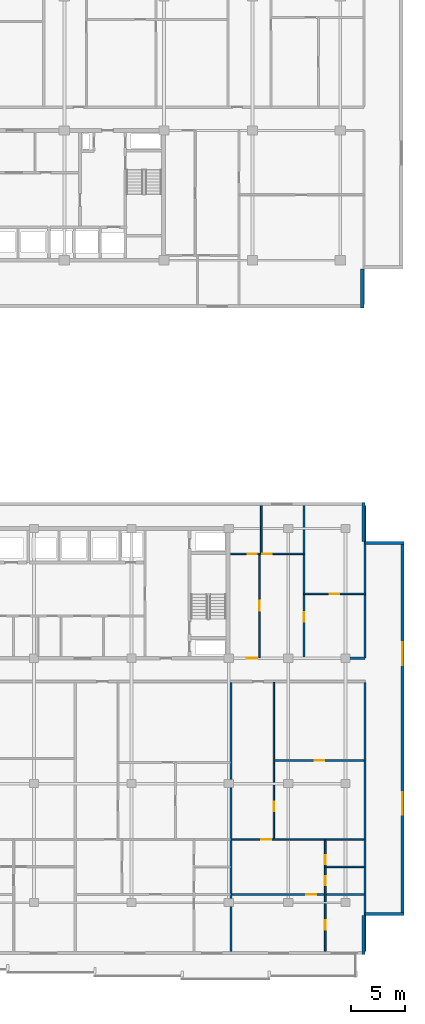
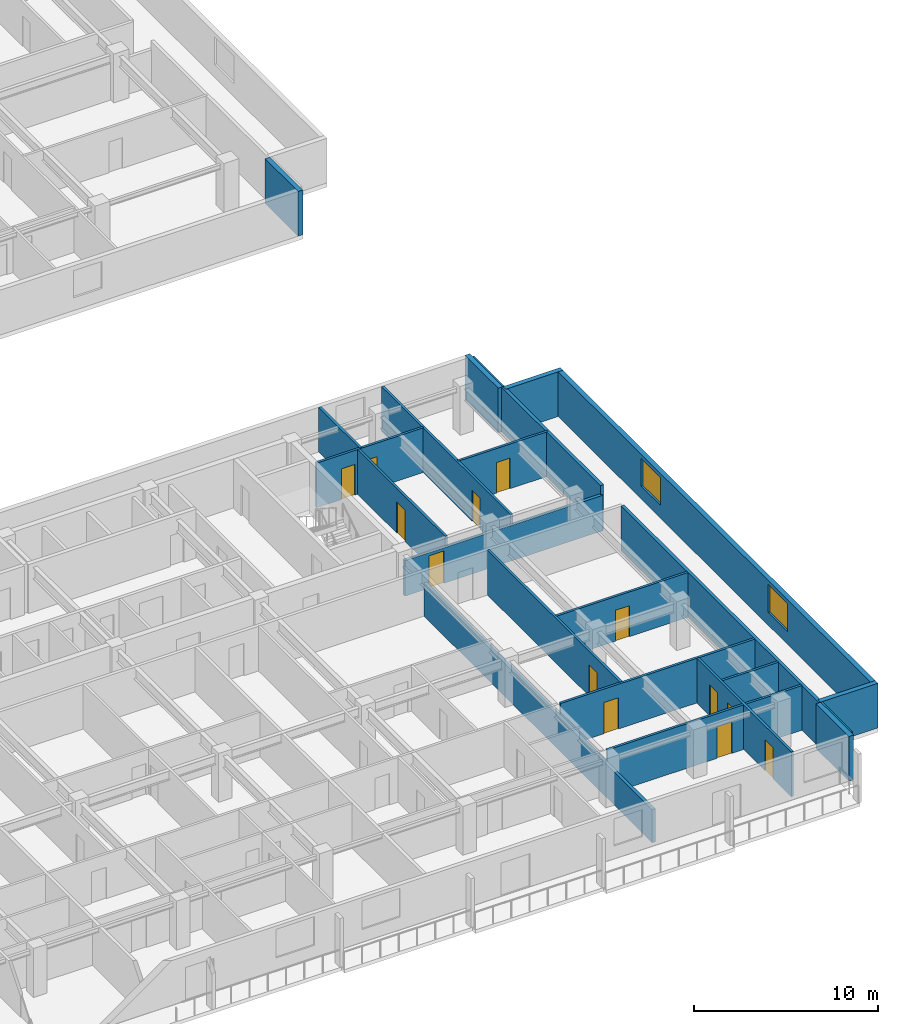
# One storey, part 10 of 22: 21 walls, 13 doors, 2 windows, 15 openings.
"""IFC4 building model written with IfcOpenShell, lengths in metres."""

from ifc_helpers import new_model, si_unit, direction, frame, frame_2d, origin, place, context, subcontext, project, spatial, rectangle, extrude, material, layer, layer_set, type_object, element, fill, save


model = new_model("IFC4")

# Units and contexts
model_context = context("Model", 3, precision=1e-05, world=origin(), true_north=direction((0.0, 1.0)))
body_context = subcontext(model_context, "Body", "Model", "MODEL_VIEW")
ifc_project = project(units=[si_unit("LENGTHUNIT", "METRE"), si_unit("AREAUNIT", "SQUARE_METRE"), si_unit("VOLUMEUNIT", "CUBIC_METRE"), si_unit("PLANEANGLEUNIT", "RADIAN"), si_unit("MASSUNIT", "GRAM", prefix="KILO")], contexts=[model_context])

# Site, building, storey
site_placement = place(None, origin())
site = spatial("IfcSite", under=ifc_project, at=site_placement, CompositionType="ELEMENT")
building_placement = place(site_placement, origin())
building = spatial("IfcBuilding", under=site, at=building_placement, Name="Korimba Cascade Residences", CompositionType="ELEMENT")
storey_placement = place(building_placement, frame((0.0, 0.0, 87.300048828125)))
storey = spatial("IfcBuildingStorey", under=building, at=storey_placement, Name="L24", CompositionType="ELEMENT", Elevation=87.300048828125)

# Walls
ifc_material_1 = material(Name="Precast concrete C40/50", Category="concrete")
ifc_layer_1 = layer(ifc_material_1, 0.300048828125)
ifc_layer_set_1 = layer_set([ifc_layer_1], Name="Precast concrete C40/50")
wall_type_1 = type_object("IfcWallType", Name="EW-STONE-300", PredefinedType="STANDARD", material=ifc_layer_set_1)
wall_1_placement = place(storey_placement, frame((130.449951171875, 50.800048828125, 0.0), z_axis=(0.0, 0.0, 1.0), x_axis=(0.0, 1.0, 0.0)))
element("IfcWall", 1, at=wall_1_placement, inside=storey, type_object=wall_type_1, Name="L24 T1 Perimeter Stone Wall E01", PredefinedType="STANDARD", context=body_context, shape_type="SweptSolid", body=[
    extrude(rectangle(XDim=3.599853515625, YDim=0.300048828125, at=frame_2d((1.7998046875, 0.0))), origin(), (0.0, 0.0, 1.0), 2.969970703125),
])
for number, where, z_axis, x_axis, name in (
    (2, (130.550048828125, -9.0, 0.0), (0.0, 0.0, 1.0), (0.0, 1.0, 0.0), "L24 T2 Perimeter Stone Wall E01"),
    (3, (130.699951171875, -5.25, 0.0), (0.0, 0.0, 1.0), (1.0, 0.0, 0.0), "L24 T2 Perimeter Stone Wall E02"),
):
    element("IfcWall", number, at=place(storey_placement, frame(where, z_axis=z_axis, x_axis=x_axis)), inside=storey, type_object=wall_type_1, Name=name, PredefinedType="STANDARD", context=body_context, shape_type="SweptSolid", body=[
        extrude(rectangle(XDim=3.60009765625, YDim=0.300048828125, at=frame_2d((1.800048828125, 0.0))), origin(), (0.0, 0.0, 1.0), 2.969970703125),
    ])

# Wall, openings, windows
wall_2_placement = place(storey_placement, frame((134.14990234375, -5.39990234375, 0.0), z_axis=(0.0, 0.0, 1.0), x_axis=(0.0, 1.0, 0.0)))
wall_2 = element("IfcWall", 4, at=wall_2_placement, inside=storey, type_object=wall_type_1, Name="L24 T2 Perimeter Stone Wall E03", PredefinedType="STANDARD", context=body_context, shape_type="SweptSolid", body=[
    extrude(rectangle(XDim=34.599853515625, YDim=0.300048828125, at=frame_2d((17.2998046875, 0.0))), origin(), (0.0, 0.0, 1.0), 2.969970703125),
])
opening_1_placement = place(wall_2_placement, frame((9.330078125, 0.0, 0.85009765625)))
opening_1 = element("IfcOpeningElement", 5, at=opening_1_placement, cuts=wall_2, Name="Opening W-03", PredefinedType="OPENING", context=body_context, shape_type="SweptSolid", body=[
    extrude(rectangle(XDim=2.10009765625, YDim=1.85009765625, at=frame_2d((1.050048828125, 0.925048828125))), frame((0.0, 0.16015625, 0.0), z_axis=(0.0, -1.0, 0.0), x_axis=(1.0, 0.0, 0.0)), (0.0, 0.0, 1.0), 0.320068359375),
])
opening_2_placement = place(wall_2_placement, frame((23.169921875, 0.0, 0.85009765625)))
opening_2 = element("IfcOpeningElement", 6, at=opening_2_placement, cuts=wall_2, Name="Opening W-03", PredefinedType="OPENING", context=body_context, shape_type="SweptSolid", body=[
    extrude(rectangle(XDim=2.10009765625, YDim=1.85009765625, at=frame_2d((1.050048828125, 0.925048828125))), frame((0.0, 0.16015625, 0.0), z_axis=(0.0, -1.0, 0.0), x_axis=(1.0, 0.0, 0.0)), (0.0, 0.0, 1.0), 0.320068359375),
])
ifc_material_2 = material(Name="Double-Glazed Aluminium Window", Category="aluminium")
window_type = type_object("IfcWindowType", Name="WIN-CRN-2100", PartitioningType="DOUBLE_PANEL_HORIZONTAL", PredefinedType="WINDOW", material=ifc_material_2)
window_1_placement = place(opening_1_placement, origin())
window_1 = element("IfcWindow", 7, at=window_1_placement, inside=storey, type_object=window_type, Name="L24 T2 End View Window 3.1", OverallHeight=1.85009765625, OverallWidth=2.10009765625, PartitioningType="DOUBLE_PANEL_HORIZONTAL", PredefinedType="WINDOW", context=body_context, shape_type="SweptSolid", body=[
    extrude(rectangle(XDim=2.10009765625, YDim=1.85009765625, at=frame_2d((1.050048828125, 0.925048828125))), frame((0.0, 0.030029296875, 0.0), z_axis=(0.0, -1.0, 0.0), x_axis=(1.0, 0.0, 0.0)), (0.0, 0.0, 1.0), 0.06005859375),
])
fill(opening_1, window_1)
window_2_placement = place(opening_2_placement, origin())
window_2 = element("IfcWindow", 8, at=window_2_placement, inside=storey, type_object=window_type, Name="L24 T2 End View Window 3.2", OverallHeight=1.85009765625, OverallWidth=2.10009765625, PartitioningType="DOUBLE_PANEL_HORIZONTAL", PredefinedType="WINDOW", context=body_context, shape_type="SweptSolid", body=[
    extrude(rectangle(XDim=2.10009765625, YDim=1.85009765625, at=frame_2d((1.050048828125, 0.925048828125))), frame((0.0, 0.030029296875, 0.0), z_axis=(0.0, -1.0, 0.0), x_axis=(1.0, 0.0, 0.0)), (0.0, 0.0, 1.0), 0.06005859375),
])
fill(opening_2, window_2)

# Walls
for number, where, z_axis, x_axis, name in (
    (9, (134.300048828125, 29.050048828125, 0.0), (0.0, 0.0, 1.0), (-1.0, 0.0, 0.0), "L24 T2 Perimeter Stone Wall E04"),
    (10, (130.550048828125, 29.199951171875, 0.0), (0.0, 0.0, 1.0), (0.0, 1.0, 0.0), "L24 T2 Perimeter Stone Wall E05"),
):
    element("IfcWall", number, at=place(storey_placement, frame(where, z_axis=z_axis, x_axis=x_axis)), inside=storey, type_object=wall_type_1, Name=name, PredefinedType="STANDARD", context=body_context, shape_type="SweptSolid", body=[
        extrude(rectangle(XDim=3.60009765625, YDim=0.300048828125, at=frame_2d((1.800048828125, 0.0))), origin(), (0.0, 0.0, 1.0), 2.969970703125),
    ])
ifc_layer_2 = layer(ifc_material_1, 0.199951171875)
ifc_layer_set_2 = layer_set([ifc_layer_2], Name="Precast concrete C40/50")
wall_type_2 = type_object("IfcWallType", Name="WAL-IT-200", PredefinedType="PARTITIONING", material=ifc_layer_set_2)
wall_3_placement = place(storey_placement, frame((130.699951171875, 18.39990234375, 0.0), z_axis=(0.0, 0.0, 1.0), x_axis=(0.0, 1.0, 0.0)))
element("IfcWall", 11, at=wall_3_placement, inside=storey, type_object=wall_type_2, Name="L24 Partition Wall WAL-L24-T2-FE-WR", PredefinedType="PARTITIONING", context=body_context, shape_type="SweptSolid", body=[
    extrude(rectangle(XDim=14.10009765625, YDim=0.199951171875, at=frame_2d((7.050048828125, 0.0))), origin(), (0.0, 0.0, 1.0), 2.969970703125),
])

# Wall, opening, door
wall_4_placement = place(storey_placement, frame((118.25, 18.39990234375, 0.0), z_axis=(0.0, 0.0, 1.0), x_axis=(1.0, 0.0, 0.0)))
wall_4 = element("IfcWall", 12, at=wall_4_placement, inside=storey, type_object=wall_type_2, Name="L24 Partition Wall WAL-L24-T2-FE-S", PredefinedType="PARTITIONING", context=body_context, shape_type="SweptSolid", body=[
    extrude(rectangle(XDim=12.449951171875, YDim=0.199951171875, at=frame_2d((6.22509765625, 0.0))), origin(), (0.0, 0.0, 1.0), 2.357666015625),
])
opening_3_placement = place(wall_4_placement, frame((1.510009765625, 0.0, 0.0)))
opening_3 = element("IfcOpeningElement", 13, at=opening_3_placement, cuts=wall_4, Name="Opening D-UN1", PredefinedType="OPENING", context=body_context, shape_type="SweptSolid", body=[
    extrude(rectangle(XDim=0.949951171875, YDim=2.14990234375, at=frame_2d((0.47509765625, 1.074951171875))), frame((0.0, 0.10986328125, 0.0), z_axis=(0.0, -1.0, 0.0), x_axis=(1.0, 0.0, 0.0)), (0.0, 0.0, 1.0), 0.219970703125),
])
ifc_material_3 = material(Name="Fire-Rated Hardwood Apartment Entrance Door", Category="wood")
door_type_1 = type_object("IfcDoorType", Name="DR-FD60-950", OperationType="NOTDEFINED", PredefinedType="DOOR", material=ifc_material_3)
door_1_placement = place(opening_3_placement, origin())
door_1 = element("IfcDoor", 14, at=door_1_placement, inside=storey, type_object=door_type_1, Name="L24-T2-FE Entrance Door", OperationType="SINGLE_SWING_RIGHT", OverallHeight=2.14990234375, OverallWidth=0.949951171875, PredefinedType="DOOR", context=body_context, shape_type="SweptSolid", body=[
    extrude(rectangle(XDim=0.949951171875, YDim=2.14990234375, at=frame_2d((0.47509765625, 1.074951171875))), frame((0.0, 0.02490234375, 0.0), z_axis=(0.0, -1.0, 0.0), x_axis=(1.0, 0.0, 0.0)), (0.0, 0.0, 1.0), 0.050048828125),
])
fill(opening_3, door_1)

# Walls
wall_5_placement = place(storey_placement, frame((130.699951171875, -8.699951171875, 0.0), z_axis=(0.0, 0.0, 1.0), x_axis=(0.0, 1.0, 0.0)))
element("IfcWall", 15, at=wall_5_placement, inside=storey, type_object=wall_type_2, Name="L24 Partition Wall WAL-L24-T2-BNDWR", PredefinedType="PARTITIONING", context=body_context, shape_type="SweptSolid", body=[
    extrude(rectangle(XDim=24.869873046875, YDim=0.199951171875, at=frame_2d((12.43505859375, 0.0))), origin(), (0.0, 0.0, 1.0), 2.969970703125),
])
wall_6_placement = place(storey_placement, frame((118.300048828125, -8.699951171875, 0.0), z_axis=(0.0, 0.0, 1.0), x_axis=(0.0, 1.0, 0.0)))
element("IfcWall", 16, at=wall_6_placement, inside=storey, type_object=wall_type_2, Name="L24 Partition Wall WAL-L24-T2-DEM-3", PredefinedType="PARTITIONING", context=body_context, shape_type="SweptSolid", body=[
    extrude(rectangle(XDim=24.869873046875, YDim=0.199951171875, at=frame_2d((12.43505859375, 0.0))), origin(), (0.0, 0.0, 1.0), 2.2001953125),
])

# Wall, opening, door
ifc_material_4 = material(Name="Insulated Acoustic Stud Partition", Category="gypsum")
ifc_layer_3 = layer(ifc_material_4, 0.14990234375)
ifc_layer_set_3 = layer_set([ifc_layer_3], Name="Insulated Acoustic Stud Partition")
wall_type_3 = type_object("IfcWallType", Name="WAL-PART-150", PredefinedType="PARTITIONING", material=ifc_layer_set_3)
wall_7_placement = place(storey_placement, frame((125.050048828125, 24.35009765625, 0.0), z_axis=(0.0, 0.0, 1.0), x_axis=(1.0, 0.0, 0.0)))
wall_7 = element("IfcWall", 17, at=wall_7_placement, inside=storey, type_object=wall_type_3, Name="L24 Partition Wall WAL-L24-T2-FE-STH", PredefinedType="PARTITIONING", context=body_context, shape_type="SweptSolid", body=[
    extrude(rectangle(XDim=5.64990234375, YDim=0.14990234375, at=frame_2d((2.824951171875, 0.0))), origin(), (0.0, 0.0, 1.0), 2.969970703125),
])
opening_4_placement = place(wall_7_placement, frame((2.405029296875, 0.0, 0.0)))
opening_4 = element("IfcOpeningElement", 18, at=opening_4_placement, cuts=wall_7, Name="Opening D-BT1", PredefinedType="OPENING", context=body_context, shape_type="SweptSolid", body=[
    extrude(rectangle(XDim=0.840087890625, YDim=2.0400390625, at=frame_2d((0.419921875, 1.02001953125))), frame((0.0, 0.0849609375, 0.0), z_axis=(0.0, -1.0, 0.0), x_axis=(1.0, 0.0, 0.0)), (0.0, 0.0, 1.0), 0.169921875),
])
ifc_material_5 = material(Name="Moisture-Resistant Bathroom Timber Door", Category="wood")
door_type_2 = type_object("IfcDoorType", Name="DR-INT-850", OperationType="NOTDEFINED", PredefinedType="DOOR", material=ifc_material_5)
door_2_placement = place(opening_4_placement, origin())
door_2 = element("IfcDoor", 19, at=door_2_placement, inside=storey, type_object=door_type_2, Name="L24-T2-FE Dressing Store Door", OperationType="SINGLE_SWING_LEFT", OverallHeight=2.0400390625, OverallWidth=0.840087890625, PredefinedType="DOOR", context=body_context, shape_type="SweptSolid", body=[
    extrude(rectangle(XDim=0.840087890625, YDim=2.0400390625, at=frame_2d((0.419921875, 1.02001953125))), frame((0.0, 0.02490234375, 0.0), z_axis=(0.0, -1.0, 0.0), x_axis=(1.0, 0.0, 0.0)), (0.0, 0.0, 1.0), 0.050048828125),
])
fill(opening_4, door_2)

wall_8_placement = place(storey_placement, frame((125.050048828125, 18.449951171875, 0.0), z_axis=(0.0, 0.0, 1.0), x_axis=(0.0, 1.0, 0.0)))
wall_8 = element("IfcWall", 20, at=wall_8_placement, inside=storey, type_object=wall_type_3, Name="L24 Partition Wall WAL-L24-T2-FE-STV", PredefinedType="PARTITIONING", context=body_context, shape_type="SweptSolid", body=[
    extrude(rectangle(XDim=14.050048828125, YDim=0.14990234375, at=frame_2d((7.02490234375, 0.0))), origin(), (0.0, 0.0, 1.0), 2.969970703125),
])
opening_5_placement = place(wall_8_placement, frame((3.320068359375, 0.0, 0.0)))
opening_5 = element("IfcOpeningElement", 21, at=opening_5_placement, cuts=wall_8, Name="Opening D-IN2", PredefinedType="OPENING", context=body_context, shape_type="SweptSolid", body=[
    extrude(rectangle(XDim=0.8798828125, YDim=2.06005859375, at=frame_2d((0.43994140625, 1.030029296875))), frame((0.0, 0.0849609375, 0.0), z_axis=(0.0, -1.0, 0.0), x_axis=(1.0, 0.0, 0.0)), (0.0, 0.0, 1.0), 0.169921875),
])
ifc_material_6 = material(Name="Acoustic Timber Bedroom Door", Category="wood")
door_type_3 = type_object("IfcDoorType", Name="DR-INT-880", OperationType="NOTDEFINED", PredefinedType="DOOR", material=ifc_material_6)
door_3_placement = place(opening_5_placement, origin())
door_3 = element("IfcDoor", 22, at=door_3_placement, inside=storey, type_object=door_type_3, Name="L24-T2-FE Study Door", OperationType="SINGLE_SWING_RIGHT", OverallHeight=2.06005859375, OverallWidth=0.8798828125, PredefinedType="DOOR", context=body_context, shape_type="SweptSolid", body=[
    extrude(rectangle(XDim=0.8798828125, YDim=2.06005859375, at=frame_2d((0.43994140625, 1.030029296875))), frame((0.0, 0.02490234375, 0.0), z_axis=(0.0, -1.0, 0.0), x_axis=(1.0, 0.0, 0.0)), (0.0, 0.0, 1.0), 0.050048828125),
])
fill(opening_5, door_3)

wall_9_placement = place(storey_placement, frame((120.929931640625, 18.449951171875, 0.0), z_axis=(0.0, 0.0, 1.0), x_axis=(0.0, 1.0, 0.0)))
wall_9 = element("IfcWall", 23, at=wall_9_placement, inside=storey, type_object=wall_type_3, Name="L24 Partition Wall WAL-L24-T2-FE-VS", PredefinedType="PARTITIONING", context=body_context, shape_type="SweptSolid", body=[
    extrude(rectangle(XDim=9.60009765625, YDim=0.14990234375, at=frame_2d((4.800048828125, 0.0))), origin(), (0.0, 0.0, 1.0), 2.969970703125),
])
opening_6_placement = place(wall_9_placement, frame((4.340087890625, 0.0, 0.0)))
opening_6 = element("IfcOpeningElement", 24, at=opening_6_placement, cuts=wall_9, Name="Opening D-IN1", PredefinedType="OPENING", context=body_context, shape_type="SweptSolid", body=[
    extrude(rectangle(XDim=0.919921875, YDim=2.080078125, at=frame_2d((0.4599609375, 1.0400390625))), frame((0.0, 0.0849609375, 0.0), z_axis=(0.0, -1.0, 0.0), x_axis=(1.0, 0.0, 0.0)), (0.0, 0.0, 1.0), 0.169921875),
])
ifc_material_7 = material(Name="Acoustic Timber Living Door", Category="wood")
door_type_4 = type_object("IfcDoorType", Name="DR-INT-920", OperationType="NOTDEFINED", PredefinedType="DOOR", material=ifc_material_7)
door_4_placement = place(opening_6_placement, origin())
door_4 = element("IfcDoor", 25, at=door_4_placement, inside=storey, type_object=door_type_4, Name="L24-T2-FE Living Door", OperationType="SINGLE_SWING_LEFT", OverallHeight=2.080078125, OverallWidth=0.919921875, PredefinedType="DOOR", context=body_context, shape_type="SweptSolid", body=[
    extrude(rectangle(XDim=0.919921875, YDim=2.080078125, at=frame_2d((0.4599609375, 1.0400390625))), frame((0.0, 0.02490234375, 0.0), z_axis=(0.0, -1.0, 0.0), x_axis=(1.0, 0.0, 0.0)), (0.0, 0.0, 1.0), 0.050048828125),
])
fill(opening_6, door_4)

# Wall
wall_10_placement = place(storey_placement, frame((121.10009765625, 28.050048828125, 0.0), z_axis=(0.0, 0.0, 1.0), x_axis=(0.0, 1.0, 0.0)))
element("IfcWall", 26, at=wall_10_placement, inside=storey, type_object=wall_type_3, Name="L24 Partition Wall WAL-L24-T2-FE-VN", PredefinedType="PARTITIONING", context=body_context, shape_type="SweptSolid", body=[
    extrude(rectangle(XDim=4.449951171875, YDim=0.14990234375, at=frame_2d((2.22509765625, 0.0))), origin(), (0.0, 0.0, 1.0), 2.969970703125),
])

# Wall, openings, doors
wall_11_placement = place(storey_placement, frame((118.27001953125, 28.050048828125, 0.0), z_axis=(0.0, 0.0, 1.0), x_axis=(1.0, 0.0, 0.0)))
wall_11 = element("IfcWall", 27, at=wall_11_placement, inside=storey, type_object=wall_type_3, Name="L24 Partition Wall WAL-L24-T2-FE-H", PredefinedType="PARTITIONING", context=body_context, shape_type="SweptSolid", body=[
    extrude(rectangle(XDim=6.760009765625, YDim=0.14990234375, at=frame_2d((3.3798828125, 0.0))), origin(), (0.0, 0.0, 1.0), 2.969970703125),
])
opening_7_placement = place(wall_11_placement, frame((1.58740234375, 0.0, 0.0)))
opening_7 = element("IfcOpeningElement", 28, at=opening_7_placement, cuts=wall_11, Name="Opening D-BT1", PredefinedType="OPENING", context=body_context, shape_type="SweptSolid", body=[
    extrude(rectangle(XDim=0.840087890625, YDim=2.0400390625, at=frame_2d((0.419921875, 1.02001953125))), frame((0.0, 0.0849609375, 0.0), z_axis=(0.0, -1.0, 0.0), x_axis=(1.0, 0.0, 0.0)), (0.0, 0.0, 1.0), 0.169921875),
])
opening_8_placement = place(wall_11_placement, frame((2.93994140625, 0.0, 0.0)))
opening_8 = element("IfcOpeningElement", 29, at=opening_8_placement, cuts=wall_11, Name="Opening D-IN2", PredefinedType="OPENING", context=body_context, shape_type="SweptSolid", body=[
    extrude(rectangle(XDim=0.8798828125, YDim=2.06005859375, at=frame_2d((0.43994140625, 1.030029296875))), frame((0.0, 0.0849609375, 0.0), z_axis=(0.0, -1.0, 0.0), x_axis=(1.0, 0.0, 0.0)), (0.0, 0.0, 1.0), 0.169921875),
])
door_5_placement = place(opening_7_placement, origin())
door_5 = element("IfcDoor", 30, at=door_5_placement, inside=storey, type_object=door_type_2, Name="L24-T2-FE Bathroom Door", OperationType="SINGLE_SWING_RIGHT", OverallHeight=2.0400390625, OverallWidth=0.840087890625, PredefinedType="DOOR", context=body_context, shape_type="SweptSolid", body=[
    extrude(rectangle(XDim=0.840087890625, YDim=2.0400390625, at=frame_2d((0.419921875, 1.02001953125))), frame((0.0, 0.02490234375, 0.0), z_axis=(0.0, -1.0, 0.0), x_axis=(1.0, 0.0, 0.0)), (0.0, 0.0, 1.0), 0.050048828125),
])
fill(opening_7, door_5)
door_6_placement = place(opening_8_placement, origin())
door_6 = element("IfcDoor", 31, at=door_6_placement, inside=storey, type_object=door_type_3, Name="L24-T2-FE Bedroom Door", OperationType="SINGLE_SWING_LEFT", OverallHeight=2.06005859375, OverallWidth=0.8798828125, PredefinedType="DOOR", context=body_context, shape_type="SweptSolid", body=[
    extrude(rectangle(XDim=0.8798828125, YDim=2.06005859375, at=frame_2d((0.43994140625, 1.030029296875))), frame((0.0, 0.02490234375, 0.0), z_axis=(0.0, -1.0, 0.0), x_axis=(1.0, 0.0, 0.0)), (0.0, 0.0, 1.0), 0.050048828125),
])
fill(opening_8, door_6)

# Wall, opening, door
wall_12_placement = place(storey_placement, frame((122.330078125, 8.93994140625, 0.0), z_axis=(0.0, 0.0, 1.0), x_axis=(1.0, 0.0, 0.0)))
wall_12 = element("IfcWall", 32, at=wall_12_placement, inside=storey, type_object=wall_type_3, Name="L24 Partition Wall WAL-L24-T2-U04-FMH", PredefinedType="PARTITIONING", context=body_context, shape_type="SweptSolid", body=[
    extrude(rectangle(XDim=8.2900390625, YDim=0.14990234375, at=frame_2d((4.14501953125, 0.0))), origin(), (0.0, 0.0, 1.0), 2.969970703125),
])
opening_9_placement = place(wall_12_placement, frame((3.705078125, 0.0, 0.0)))
opening_9 = element("IfcOpeningElement", 33, at=opening_9_placement, cuts=wall_12, Name="Opening D-IN2", PredefinedType="OPENING", context=body_context, shape_type="SweptSolid", body=[
    extrude(rectangle(XDim=0.8798828125, YDim=2.06005859375, at=frame_2d((0.43994140625, 1.030029296875))), frame((0.0, 0.0849609375, 0.0), z_axis=(0.0, -1.0, 0.0), x_axis=(1.0, 0.0, 0.0)), (0.0, 0.0, 1.0), 0.169921875),
])
door_7_placement = place(opening_9_placement, origin())
door_7 = element("IfcDoor", 34, at=door_7_placement, inside=storey, type_object=door_type_3, Name="L24-T2-U04 Library Salon Door", OperationType="SINGLE_SWING_LEFT", OverallHeight=2.06005859375, OverallWidth=0.8798828125, PredefinedType="DOOR", context=body_context, shape_type="SweptSolid", body=[
    extrude(rectangle(XDim=0.8798828125, YDim=2.06005859375, at=frame_2d((0.43994140625, 1.030029296875))), frame((0.0, 0.02490234375, 0.0), z_axis=(0.0, -1.0, 0.0), x_axis=(1.0, 0.0, 0.0)), (0.0, 0.0, 1.0), 0.050048828125),
])
fill(opening_9, door_7)

wall_13_placement = place(storey_placement, frame((122.27001953125, 1.68994140625, 0.0), z_axis=(0.0, 0.0, 1.0), x_axis=(0.0, 1.0, 0.0)))
wall_13 = element("IfcWall", 35, at=wall_13_placement, inside=storey, type_object=wall_type_3, Name="L24 Partition Wall WAL-L24-T2-U04-FV", PredefinedType="PARTITIONING", context=body_context, shape_type="SweptSolid", body=[
    extrude(rectangle(XDim=14.5, YDim=0.14990234375, at=frame_2d((7.25, 0.0))), origin(), (0.0, 0.0, 1.0), 2.969970703125),
])
opening_10_placement = place(wall_13_placement, frame((2.54248046875, 0.0, 0.0)))
opening_10 = element("IfcOpeningElement", 36, at=opening_10_placement, cuts=wall_13, Name="Opening D-IN2", PredefinedType="OPENING", context=body_context, shape_type="SweptSolid", body=[
    extrude(rectangle(XDim=0.8798828125, YDim=2.06005859375, at=frame_2d((0.43994140625, 1.030029296875))), frame((0.0, 0.0849609375, 0.0), z_axis=(0.0, -1.0, 0.0), x_axis=(1.0, 0.0, 0.0)), (0.0, 0.0, 1.0), 0.169921875),
])
door_8_placement = place(opening_10_placement, origin())
door_8 = element("IfcDoor", 37, at=door_8_placement, inside=storey, type_object=door_type_3, Name="L24-T2-U04 Media Lounge Door", OperationType="SINGLE_SWING_RIGHT", OverallHeight=2.06005859375, OverallWidth=0.8798828125, PredefinedType="DOOR", context=body_context, shape_type="SweptSolid", body=[
    extrude(rectangle(XDim=0.8798828125, YDim=2.06005859375, at=frame_2d((0.43994140625, 1.030029296875))), frame((0.0, 0.02490234375, 0.0), z_axis=(0.0, -1.0, 0.0), x_axis=(1.0, 0.0, 0.0)), (0.0, 0.0, 1.0), 0.050048828125),
])
fill(opening_10, door_8)

# Wall
wall_14_placement = place(storey_placement, frame((127.080078125, -0.889892578125, 0.0), z_axis=(0.0, 0.0, 1.0), x_axis=(1.0, 0.0, 0.0)))
element("IfcWall", 38, at=wall_14_placement, inside=storey, type_object=wall_type_3, Name="L24 Partition Wall WAL-L24-T2-U04-BLDIV", PredefinedType="PARTITIONING", context=body_context, shape_type="SweptSolid", body=[
    extrude(rectangle(XDim=3.5400390625, YDim=0.14990234375, at=frame_2d((1.77001953125, 0.0))), origin(), (0.0, 0.0, 1.0), 2.969970703125),
])

# Wall, openings, doors
wall_15_placement = place(storey_placement, frame((127.02001953125, -8.699951171875, 0.0), z_axis=(0.0, 0.0, 1.0), x_axis=(0.0, 1.0, 0.0)))
wall_15 = element("IfcWall", 39, at=wall_15_placement, inside=storey, type_object=wall_type_3, Name="L24 Partition Wall WAL-L24-T2-U04-V1", PredefinedType="PARTITIONING", context=body_context, shape_type="SweptSolid", body=[
    extrude(rectangle(XDim=10.31005859375, YDim=0.14990234375, at=frame_2d((5.155029296875, 0.0))), origin(), (0.0, 0.0, 1.0), 2.969970703125),
])
opening_11_placement = place(wall_15_placement, frame((6.120361328125, 0.0, 0.0)))
opening_11 = element("IfcOpeningElement", 40, at=opening_11_placement, cuts=wall_15, Name="Opening D-BT1", PredefinedType="OPENING", context=body_context, shape_type="SweptSolid", body=[
    extrude(rectangle(XDim=0.840087890625, YDim=2.0400390625, at=frame_2d((0.419921875, 1.02001953125))), frame((0.0, 0.0849609375, 0.0), z_axis=(0.0, -1.0, 0.0), x_axis=(1.0, 0.0, 0.0)), (0.0, 0.0, 1.0), 0.169921875),
])
opening_12_placement = place(wall_15_placement, frame((8.03955078125, 0.0, 0.0)))
opening_12 = element("IfcOpeningElement", 41, at=opening_12_placement, cuts=wall_15, Name="Opening D-BT1", PredefinedType="OPENING", context=body_context, shape_type="SweptSolid", body=[
    extrude(rectangle(XDim=0.840087890625, YDim=2.0400390625, at=frame_2d((0.419921875, 1.02001953125))), frame((0.0, 0.0849609375, 0.0), z_axis=(0.0, -1.0, 0.0), x_axis=(1.0, 0.0, 0.0)), (0.0, 0.0, 1.0), 0.169921875),
])
opening_13_placement = place(wall_15_placement, frame((2.001220703125, 0.0, 0.0)))
opening_13 = element("IfcOpeningElement", 42, at=opening_13_placement, cuts=wall_15, Name="Opening D-IN2", PredefinedType="OPENING", context=body_context, shape_type="SweptSolid", body=[
    extrude(rectangle(XDim=0.8798828125, YDim=2.06005859375, at=frame_2d((0.43994140625, 1.030029296875))), frame((0.0, 0.0849609375, 0.0), z_axis=(0.0, -1.0, 0.0), x_axis=(1.0, 0.0, 0.0)), (0.0, 0.0, 1.0), 0.169921875),
])
door_9_placement = place(opening_11_placement, origin())
door_9 = element("IfcDoor", 43, at=door_9_placement, inside=storey, type_object=door_type_2, Name="L24-T2-U04 Bathroom Door", OperationType="SINGLE_SWING_LEFT", OverallHeight=2.0400390625, OverallWidth=0.840087890625, PredefinedType="DOOR", context=body_context, shape_type="SweptSolid", body=[
    extrude(rectangle(XDim=0.840087890625, YDim=2.0400390625, at=frame_2d((0.419921875, 1.02001953125))), frame((0.0, 0.02490234375, 0.0), z_axis=(0.0, -1.0, 0.0), x_axis=(1.0, 0.0, 0.0)), (0.0, 0.0, 1.0), 0.050048828125),
])
fill(opening_11, door_9)
door_10_placement = place(opening_12_placement, origin())
door_10 = element("IfcDoor", 44, at=door_10_placement, inside=storey, type_object=door_type_2, Name="L24-T2-U04 Laundry Door", OperationType="SINGLE_SWING_RIGHT", OverallHeight=2.0400390625, OverallWidth=0.840087890625, PredefinedType="DOOR", context=body_context, shape_type="SweptSolid", body=[
    extrude(rectangle(XDim=0.840087890625, YDim=2.0400390625, at=frame_2d((0.419921875, 1.02001953125))), frame((0.0, 0.02490234375, 0.0), z_axis=(0.0, -1.0, 0.0), x_axis=(1.0, 0.0, 0.0)), (0.0, 0.0, 1.0), 0.050048828125),
])
fill(opening_12, door_10)
door_11_placement = place(opening_13_placement, origin())
door_11 = element("IfcDoor", 45, at=door_11_placement, inside=storey, type_object=door_type_3, Name="L24-T2-U04 Bedroom 1 Door", OperationType="SINGLE_SWING_LEFT", OverallHeight=2.06005859375, OverallWidth=0.8798828125, PredefinedType="DOOR", context=body_context, shape_type="SweptSolid", body=[
    extrude(rectangle(XDim=0.8798828125, YDim=2.06005859375, at=frame_2d((0.43994140625, 1.030029296875))), frame((0.0, 0.02490234375, 0.0), z_axis=(0.0, -1.0, 0.0), x_axis=(1.0, 0.0, 0.0)), (0.0, 0.0, 1.0), 0.050048828125),
])
fill(opening_13, door_11)

# Wall, opening, door
wall_16_placement = place(storey_placement, frame((118.3798828125, 1.64990234375, 0.0), z_axis=(0.0, 0.0, 1.0), x_axis=(1.0, 0.0, 0.0)))
wall_16 = element("IfcWall", 46, at=wall_16_placement, inside=storey, type_object=wall_type_3, Name="L24 Partition Wall WAL-L24-T2-U04-MW", PredefinedType="PARTITIONING", context=body_context, shape_type="SweptSolid", body=[
    extrude(rectangle(XDim=12.240234375, YDim=0.14990234375, at=frame_2d((6.1201171875, 0.0))), origin(), (0.0, 0.0, 1.0), 2.969970703125),
])
opening_14_placement = place(wall_16_placement, frame((2.719970703125, 0.0, 0.0)))
opening_14 = element("IfcOpeningElement", 47, at=opening_14_placement, cuts=wall_16, Name="Opening D-IN1", PredefinedType="OPENING", context=body_context, shape_type="SweptSolid", body=[
    extrude(rectangle(XDim=0.919921875, YDim=2.080078125, at=frame_2d((0.4599609375, 1.0400390625))), frame((0.0, 0.0849609375, 0.0), z_axis=(0.0, -1.0, 0.0), x_axis=(1.0, 0.0, 0.0)), (0.0, 0.0, 1.0), 0.169921875),
])
door_12_placement = place(opening_14_placement, origin())
door_12 = element("IfcDoor", 48, at=door_12_placement, inside=storey, type_object=door_type_4, Name="L24-T2-U04 Kitchen Archway Door", OperationType="SINGLE_SWING_RIGHT", OverallHeight=2.080078125, OverallWidth=0.919921875, PredefinedType="DOOR", context=body_context, shape_type="SweptSolid", body=[
    extrude(rectangle(XDim=0.919921875, YDim=2.080078125, at=frame_2d((0.4599609375, 1.0400390625))), frame((0.0, 0.02490234375, 0.0), z_axis=(0.0, -1.0, 0.0), x_axis=(1.0, 0.0, 0.0)), (0.0, 0.0, 1.0), 0.050048828125),
])
fill(opening_14, door_12)

wall_17_placement = place(storey_placement, frame((118.3798828125, -3.449951171875, 0.0), z_axis=(0.0, 0.0, 1.0), x_axis=(1.0, 0.0, 0.0)))
wall_17 = element("IfcWall", 49, at=wall_17_placement, inside=storey, type_object=wall_type_3, Name="L24 Partition Wall WAL-L24-T2-U04-HZ", PredefinedType="PARTITIONING", context=body_context, shape_type="SweptSolid", body=[
    extrude(rectangle(XDim=12.240234375, YDim=0.14990234375, at=frame_2d((6.1201171875, 0.0))), origin(), (0.0, 0.0, 1.0), 2.969970703125),
])
opening_15_placement = place(wall_17_placement, frame((6.8740234375, 0.0, 0.0)))
opening_15 = element("IfcOpeningElement", 50, at=opening_15_placement, cuts=wall_17, Name="Opening D-IN0", PredefinedType="OPENING", context=body_context, shape_type="SweptSolid", body=[
    extrude(rectangle(XDim=0.93994140625, YDim=2.10009765625, at=frame_2d((0.469970703125, 1.050048828125))), frame((0.0, 0.0849609375, 0.0), z_axis=(0.0, -1.0, 0.0), x_axis=(1.0, 0.0, 0.0)), (0.0, 0.0, 1.0), 0.169921875),
])
ifc_material_8 = material(Name="Acoustic Timber Living Archway Door", Category="wood")
door_type_5 = type_object("IfcDoorType", Name="DR-INT-950", OperationType="NOTDEFINED", PredefinedType="DOOR", material=ifc_material_8)
door_13_placement = place(opening_15_placement, origin())
door_13 = element("IfcDoor", 51, at=door_13_placement, inside=storey, type_object=door_type_5, Name="L24-T2-U04 Living Archway Door", OperationType="SINGLE_SWING_LEFT", OverallHeight=2.10009765625, OverallWidth=0.93994140625, PredefinedType="DOOR", context=body_context, shape_type="SweptSolid", body=[
    extrude(rectangle(XDim=0.93994140625, YDim=2.10009765625, at=frame_2d((0.469970703125, 1.050048828125))), frame((0.0, 0.02490234375, 0.0), z_axis=(0.0, -1.0, 0.0), x_axis=(1.0, 0.0, 0.0)), (0.0, 0.0, 1.0), 0.050048828125),
])
fill(opening_15, door_13)

save(model, "model.ifc")
